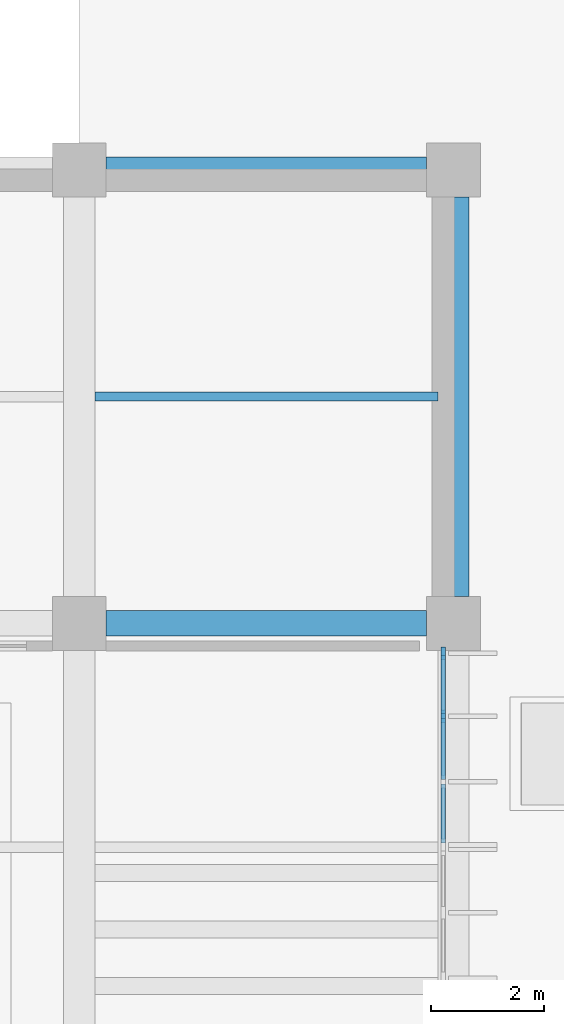
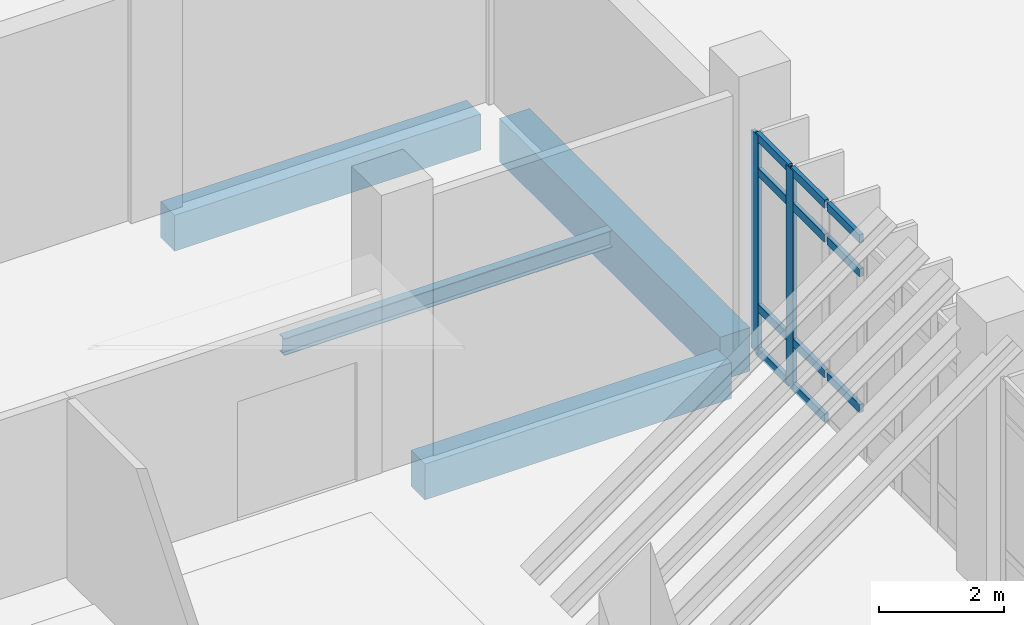
# One storey, part 38 of 79: 13 members, 4 beams, 1 element without a shape of its own.
"""IFC4 building model written with IfcOpenShell, lengths in metres."""

from ifc_helpers import new_model, si_unit, direction, frame, origin, origin_2d, place, context, subcontext, project, spatial, rectangle, i_section, extrude, material, layer, layer_set, material_profile, profile_set, type_object, element, aggregate, save


model = new_model("IFC4")

# Units and contexts
model_context = context("Model", 3, precision=1e-05, world=origin(), true_north=direction((0.0, 1.0)))
body_context = subcontext(model_context, "Body", "Model", "MODEL_VIEW")
ifc_project = project(units=[si_unit("LENGTHUNIT", "METRE"), si_unit("AREAUNIT", "SQUARE_METRE"), si_unit("VOLUMEUNIT", "CUBIC_METRE"), si_unit("PLANEANGLEUNIT", "RADIAN"), si_unit("MASSUNIT", "GRAM", prefix="KILO")], contexts=[model_context])

# Site, building, storey
site_placement = place(None, origin())
site = spatial("IfcSite", under=ifc_project, at=site_placement, CompositionType="ELEMENT")
building_placement = place(site_placement, origin())
building = spatial("IfcBuilding", under=site, at=building_placement, Name="Kelarvand Opera House", CompositionType="ELEMENT")
storey_placement = place(building_placement, origin())
storey = spatial("IfcBuildingStorey", under=building, at=storey_placement, Name="L00", CompositionType="ELEMENT", Elevation=0.0)

# Curtain wall, members
ifc_material_1 = material(Name="Thermally broken aluminium and low-E glazing", Category="aluminium")
ifc_layer = layer(ifc_material_1, 0.219970703125, Name="Thermally broken aluminium and low-E glazing", Category="aluminium")
ifc_layer_set = layer_set([ifc_layer], Name="Thermally broken aluminium and low-E glazing")
curtain_wall_type = type_object("IfcCurtainWallType", Name="Unitised Low-E Curtain Wall 3461x4250 Mod 1150 CWF-01", PredefinedType="USERDEFINED", material=ifc_layer_set)
curtain_wall_placement = place(storey_placement, origin())
curtain_wall = element("IfcCurtainWall", 1, at=curtain_wall_placement, inside=storey, type_object=curtain_wall_type, Name="V1 L00 Curtain Wall CWF-01 (1)", ObjectType="UNITISED CURTAIN WALL", PredefinedType="USERDEFINED")
ifc_material_2 = material(Name="Thermally broken anodised aluminium", Category="aluminium")
ifc_material_profile_1 = material_profile(ifc_material_2, rectangle(XDim=0.074951171875, YDim=0.219970703125, at=origin_2d()), Name="ALU MULLION 75x220", Category="aluminium")
ifc_profile_set_1 = profile_set([ifc_material_profile_1], Name="Thermally broken anodised aluminium")
member_type_1 = type_object("IfcMemberType", Name="Curtain Wall Mullion 75x220 Heavy Plaza", PredefinedType="MULLION", material=ifc_profile_set_1)
member_1_placement = place(storey_placement, frame((141.6201171875, 69.87744140625, 0.0), z_axis=(0.0, 0.0, 1.0), x_axis=(1.0, 0.0, 0.0)))
member_1 = element("IfcMember", 2, at=member_1_placement, type_object=member_type_1, Name="CWF-01 mullion 1", PredefinedType="MULLION", context=body_context, shape_type="SweptSolid", body=[
    extrude(rectangle(XDim=0.074951171875, YDim=0.219970703125, at=origin_2d()), origin(), (0.0, 0.0, 1.0), 4.25),
])
member_2_placement = place(storey_placement, frame((141.6201171875, 68.76123046875, 0.0), z_axis=(0.0, 0.0, 1.0), x_axis=(1.0, 0.0, 0.0)))
member_2 = element("IfcMember", 3, at=member_2_placement, type_object=member_type_1, Name="CWF-01 mullion 2", PredefinedType="MULLION", context=body_context, shape_type="SweptSolid", body=[
    extrude(rectangle(XDim=0.074951171875, YDim=0.219970703125, at=origin_2d()), origin(), (0.0, 0.0, 1.0), 4.25),
])
ifc_material_profile_2 = material_profile(ifc_material_2, rectangle(XDim=0.074951171875, YDim=0.159912109375, at=origin_2d()), Name="ALU TRANSOM 75x160", Category="aluminium")
ifc_profile_set_2 = profile_set([ifc_material_profile_2], Name="Thermally broken anodised aluminium")
member_type_2 = type_object("IfcMemberType", Name="Curtain Wall Transom 75x160 Heavy Plaza", PredefinedType="USERDEFINED", material=ifc_profile_set_2)
member_3_placement = place(storey_placement, frame((141.6201171875, 69.840087890625, 0.03759765625), z_axis=(0.0, -1.0, 0.0), x_axis=(1.0, 0.0, 0.0)))
member_3 = element("IfcMember", 4, at=member_3_placement, type_object=member_type_2, Name="CWF-01 transom 1.1", ObjectType="TRANSOM", PredefinedType="USERDEFINED", context=body_context, shape_type="SweptSolid", body=[
    extrude(rectangle(XDim=0.074951171875, YDim=0.159912109375, at=origin_2d()), origin(), (0.0, 0.0, 1.0), 1.041259765625),
])
member_4_placement = place(storey_placement, frame((141.6201171875, 69.840087890625, 0.89990234375), z_axis=(0.0, -1.0, 0.0), x_axis=(1.0, 0.0, 0.0)))
member_4 = element("IfcMember", 5, at=member_4_placement, type_object=member_type_2, Name="CWF-01 transom 1.2", ObjectType="TRANSOM", PredefinedType="USERDEFINED", context=body_context, shape_type="SweptSolid", body=[
    extrude(rectangle(XDim=0.074951171875, YDim=0.159912109375, at=origin_2d()), origin(), (0.0, 0.0, 1.0), 1.041259765625),
])
member_5_placement = place(storey_placement, frame((141.6201171875, 69.840087890625, 3.550048828125), z_axis=(0.0, -1.0, 0.0), x_axis=(1.0, 0.0, 0.0)))
member_5 = element("IfcMember", 6, at=member_5_placement, type_object=member_type_2, Name="CWF-01 transom 1.3", ObjectType="TRANSOM", PredefinedType="USERDEFINED", context=body_context, shape_type="SweptSolid", body=[
    extrude(rectangle(XDim=0.074951171875, YDim=0.159912109375, at=origin_2d()), origin(), (0.0, 0.0, 1.0), 1.041259765625),
])
member_6_placement = place(storey_placement, frame((141.6201171875, 69.840087890625, 4.21240234375), z_axis=(0.0, -1.0, 0.0), x_axis=(1.0, 0.0, 0.0)))
member_6 = element("IfcMember", 7, at=member_6_placement, type_object=member_type_2, Name="CWF-01 transom 1.4", ObjectType="TRANSOM", PredefinedType="USERDEFINED", context=body_context, shape_type="SweptSolid", body=[
    extrude(rectangle(XDim=0.074951171875, YDim=0.159912109375, at=origin_2d()), origin(), (0.0, 0.0, 1.0), 1.041259765625),
])
member_7_placement = place(storey_placement, frame((141.6201171875, 68.723876953125, 0.03759765625), z_axis=(0.0, -1.0, 0.0), x_axis=(1.0, 0.0, 0.0)))
member_7 = element("IfcMember", 8, at=member_7_placement, type_object=member_type_2, Name="CWF-01 transom 2.1", ObjectType="TRANSOM", PredefinedType="USERDEFINED", context=body_context, shape_type="SweptSolid", body=[
    extrude(rectangle(XDim=0.074951171875, YDim=0.159912109375, at=origin_2d()), origin(), (0.0, 0.0, 1.0), 1.07861328125),
])
member_8_placement = place(storey_placement, frame((141.6201171875, 68.723876953125, 0.89990234375), z_axis=(0.0, -1.0, 0.0), x_axis=(1.0, 0.0, 0.0)))
member_8 = element("IfcMember", 9, at=member_8_placement, type_object=member_type_2, Name="CWF-01 transom 2.2", ObjectType="TRANSOM", PredefinedType="USERDEFINED", context=body_context, shape_type="SweptSolid", body=[
    extrude(rectangle(XDim=0.074951171875, YDim=0.159912109375, at=origin_2d()), origin(), (0.0, 0.0, 1.0), 1.07861328125),
])
member_9_placement = place(storey_placement, frame((141.6201171875, 68.723876953125, 3.550048828125), z_axis=(0.0, -1.0, 0.0), x_axis=(1.0, 0.0, 0.0)))
member_9 = element("IfcMember", 10, at=member_9_placement, type_object=member_type_2, Name="CWF-01 transom 2.3", ObjectType="TRANSOM", PredefinedType="USERDEFINED", context=body_context, shape_type="SweptSolid", body=[
    extrude(rectangle(XDim=0.074951171875, YDim=0.159912109375, at=origin_2d()), origin(), (0.0, 0.0, 1.0), 1.07861328125),
])
member_10_placement = place(storey_placement, frame((141.6201171875, 68.723876953125, 4.21240234375), z_axis=(0.0, -1.0, 0.0), x_axis=(1.0, 0.0, 0.0)))
member_10 = element("IfcMember", 11, at=member_10_placement, type_object=member_type_2, Name="CWF-01 transom 2.4", ObjectType="TRANSOM", PredefinedType="USERDEFINED", context=body_context, shape_type="SweptSolid", body=[
    extrude(rectangle(XDim=0.074951171875, YDim=0.159912109375, at=origin_2d()), origin(), (0.0, 0.0, 1.0), 1.07861328125),
])
member_11_placement = place(storey_placement, frame((141.6201171875, 67.570068359375, 0.89990234375), z_axis=(0.0, -1.0, 0.0), x_axis=(1.0, 0.0, 0.0)))
member_11 = element("IfcMember", 12, at=member_11_placement, type_object=member_type_2, Name="CWF-01 transom 3.2", ObjectType="TRANSOM", PredefinedType="USERDEFINED", context=body_context, shape_type="SweptSolid", body=[
    extrude(rectangle(XDim=0.074951171875, YDim=0.159912109375, at=origin_2d()), origin(), (0.0, 0.0, 1.0), 1.041015625),
])
member_12_placement = place(storey_placement, frame((141.6201171875, 67.570068359375, 3.550048828125), z_axis=(0.0, -1.0, 0.0), x_axis=(1.0, 0.0, 0.0)))
member_12 = element("IfcMember", 13, at=member_12_placement, type_object=member_type_2, Name="CWF-01 transom 3.3", ObjectType="TRANSOM", PredefinedType="USERDEFINED", context=body_context, shape_type="SweptSolid", body=[
    extrude(rectangle(XDim=0.074951171875, YDim=0.159912109375, at=origin_2d()), origin(), (0.0, 0.0, 1.0), 1.041015625),
])
member_13_placement = place(storey_placement, frame((141.6201171875, 67.570068359375, 4.21240234375), z_axis=(0.0, -1.0, 0.0), x_axis=(1.0, 0.0, 0.0)))
member_13 = element("IfcMember", 14, at=member_13_placement, type_object=member_type_2, Name="CWF-01 transom 3.4", ObjectType="TRANSOM", PredefinedType="USERDEFINED", context=body_context, shape_type="SweptSolid", body=[
    extrude(rectangle(XDim=0.074951171875, YDim=0.159912109375, at=origin_2d()), origin(), (0.0, 0.0, 1.0), 1.041015625),
])
aggregate(curtain_wall, [member_1, member_2, member_3, member_4, member_5, member_6, member_7, member_8, member_9, member_10, member_11, member_12, member_13])

# Beams
ifc_material_3 = material(Name="Concrete C40/50", Category="concrete")
ifc_material_profile_3 = material_profile(ifc_material_3, rectangle(XDim=0.449951171875, YDim=0.699951171875, at=origin_2d()), Name="RC 450x700", Category="concrete")
ifc_profile_set_3 = profile_set([ifc_material_profile_3], Name="Concrete C40/50")
beam_type_1 = type_object("IfcBeamType", Name="Structural Beam RC 450x700 BM-RC450x700", PredefinedType="BEAM", material=ifc_profile_set_3)
for number, where, z_axis, x_axis, name in (
    (15, (135.675048828125, 70.39990234375, -0.669921875), (1.0, 0.0, 0.0), (0.0, 1.0, 0.0), "V1 L00 Beam BM-RC450x700"),
    (16, (135.675048828125, 78.39990234375, -0.669921875), (1.0, 0.0, 0.0), (0.0, 1.0, 0.0), "V1 L00 Beam BM-RC450x700"),
):
    element("IfcBeam", number, at=place(storey_placement, frame(where, z_axis=z_axis, x_axis=x_axis)), inside=storey, type_object=beam_type_1, Name=name, PredefinedType="BEAM", context=body_context, shape_type="SweptSolid", body=[
        extrude(rectangle(XDim=0.449951171875, YDim=0.699951171875, at=origin_2d()), origin(), (0.0, 0.0, 1.0), 5.64990234375),
    ])
ifc_material_profile_4 = material_profile(ifc_material_3, rectangle(XDim=0.550048828125, YDim=0.85009765625, at=origin_2d()), Name="RC 550x850", Category="concrete")
ifc_profile_set_4 = profile_set([ifc_material_profile_4], Name="Concrete C40/50")
beam_type_2 = type_object("IfcBeamType", Name="Structural Beam RC 550x850 BM-RC550x850", PredefinedType="BEAM", material=ifc_profile_set_4)
beam_1_placement = place(storey_placement, frame((141.800048828125, 70.875, -0.7451171875), z_axis=(0.0, 1.0, 0.0), x_axis=(-1.0, 0.0, 0.0)))
element("IfcBeam", 17, at=beam_1_placement, inside=storey, type_object=beam_type_2, Name="V1 L00 Beam BM-RC550x850", PredefinedType="BEAM", context=body_context, shape_type="SweptSolid", body=[
    extrude(rectangle(XDim=0.550048828125, YDim=0.85009765625, at=origin_2d()), origin(), (0.0, 0.0, 1.0), 7.050048828125),
])
ifc_material_4 = material(Name="Steel S355", Category="steel")
ifc_material_profile_5 = material_profile(ifc_material_4, i_section(OverallWidth=0.159912109375, OverallDepth=0.330078125, WebThickness=0.007568359375, FlangeThickness=0.011474609375, at=origin_2d()), Name="IPE 330", Category="steel")
ifc_profile_set_5 = profile_set([ifc_material_profile_5], Name="Steel S355")
beam_type_3 = type_object("IfcBeamType", Name="Structural Joist IPE 330 JS-IPE330", PredefinedType="JOIST", material=ifc_profile_set_5)
beam_2_placement = place(storey_placement, frame((135.47509765625, 74.39990234375, -0.485107421875), z_axis=(1.0, 0.0, 0.0), x_axis=(0.0, 1.0, 0.0)))
element("IfcBeam", 18, at=beam_2_placement, inside=storey, type_object=beam_type_3, Name="V1 L00 Beam JS-IPE330", PredefinedType="JOIST", context=body_context, shape_type="SweptSolid", body=[
    extrude(i_section(OverallWidth=0.159912109375, OverallDepth=0.330078125, WebThickness=0.007568359375, FlangeThickness=0.011474609375, at=origin_2d()), origin(), (0.0, 0.0, 1.0), 6.0498046875),
])

save(model, "model.ifc")
